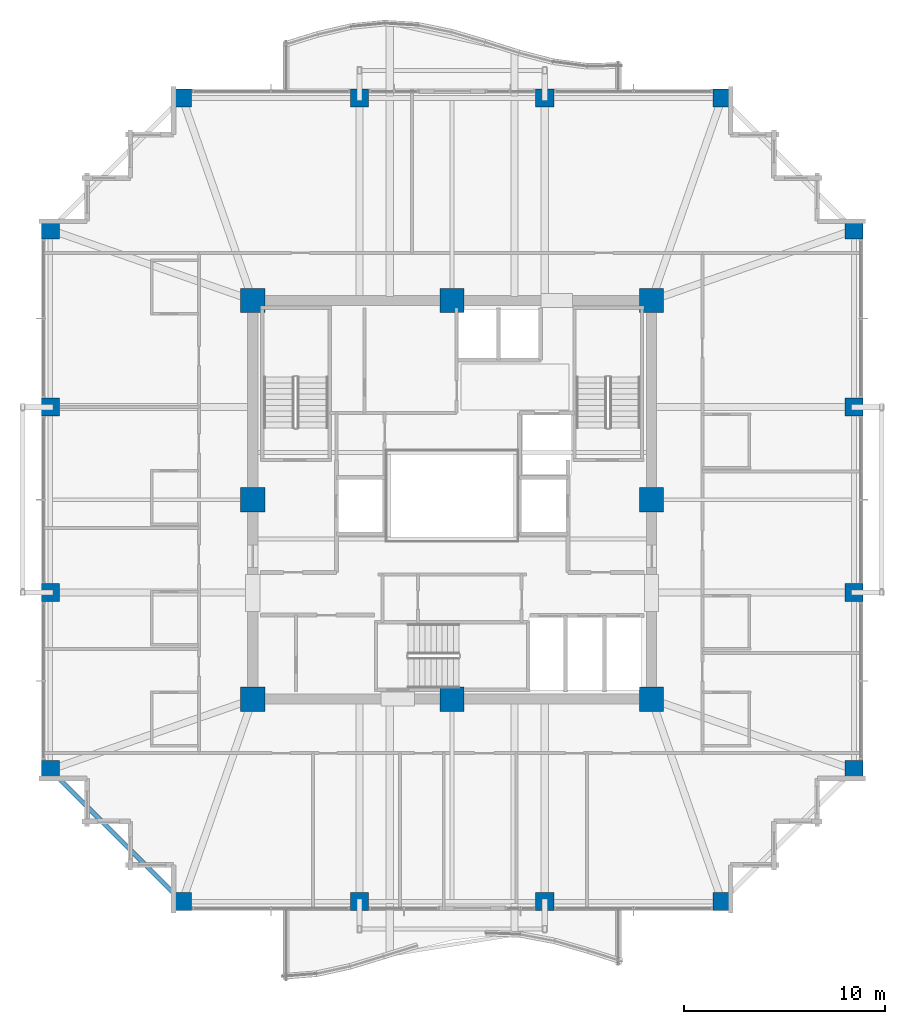
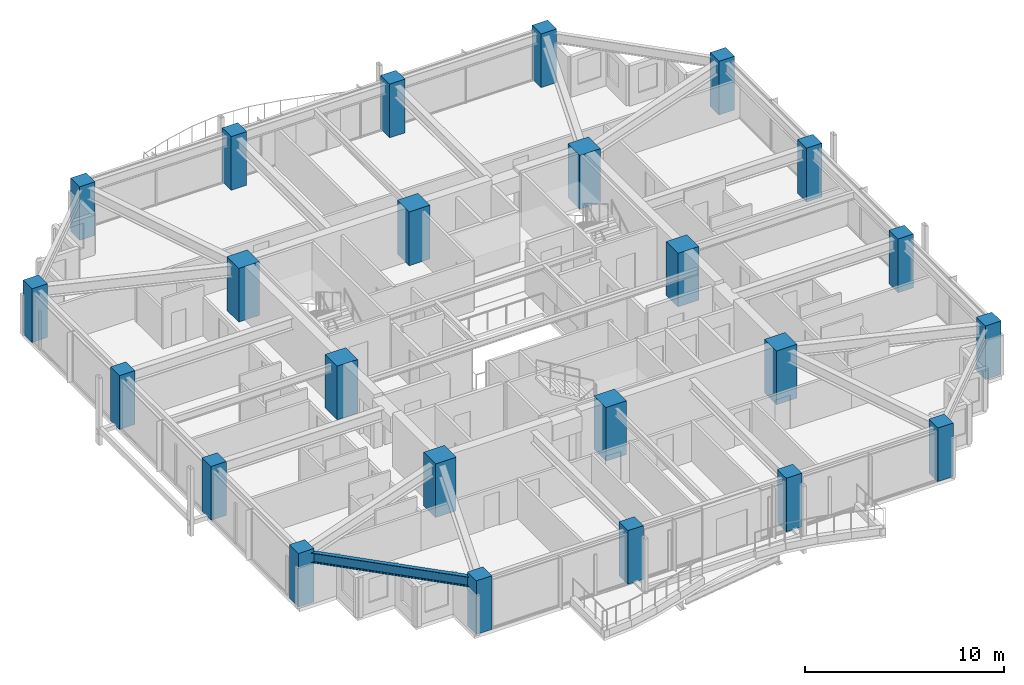
# One storey, part 1 of 37: 24 columns, 1 beam.
"""IFC4 building model written with IfcOpenShell, lengths in metres."""

from ifc_helpers import new_model, si_unit, direction, frame, origin, origin_2d, place, context, subcontext, project, spatial, rectangle, i_section, extrude, material, material_profile, profile_set, type_object, element, save


model = new_model("IFC4")

# Units and contexts
model_context = context("Model", 3, precision=1e-05, world=origin(), true_north=direction((0.0, 1.0)))
body_context = subcontext(model_context, "Body", "Model", "MODEL_VIEW")
ifc_project = project(units=[si_unit("LENGTHUNIT", "METRE"), si_unit("AREAUNIT", "SQUARE_METRE"), si_unit("VOLUMEUNIT", "CUBIC_METRE"), si_unit("PLANEANGLEUNIT", "RADIAN"), si_unit("MASSUNIT", "GRAM", prefix="KILO")], contexts=[model_context])

# Site, building, storey
site_placement = place(None, origin())
site = spatial("IfcSite", under=ifc_project, at=site_placement, CompositionType="ELEMENT")
building_placement = place(site_placement, origin())
building = spatial("IfcBuilding", under=site, at=building_placement, Name="Kolvaren Belvedere", CompositionType="ELEMENT")
storey_placement = place(building_placement, frame((0.0, 0.0, 173.39990234375)))
storey = spatial("IfcBuildingStorey", under=building, at=storey_placement, Name="L50", CompositionType="ELEMENT", Elevation=173.39990234375)

# Columns
ifc_material_1 = material(Name="Concrete C60/75", Category="concrete")
ifc_material_profile_1 = material_profile(ifc_material_1, rectangle(XDim=1.199951171875, YDim=1.199951171875, at=origin_2d()), Name="RC 1200X1200")
ifc_profile_set_1 = profile_set([ifc_material_profile_1], Name="Concrete C60/75")
column_type_1 = type_object("IfcColumnType", Name="COL-RC-1200", PredefinedType="COLUMN", material=ifc_profile_set_1)
for number, where, z_axis, x_axis, name in (
    (1, (-9.89990234375, -9.89990234375, 0.0), (0.0, 0.0, 1.0), (1.0, 0.0, 0.0), "L50 Core Column CC1"),
    (2, (9.89990234375, -9.89990234375, 0.0), (0.0, 0.0, 1.0), (1.0, 0.0, 0.0), "L50 Core Column CC2"),
    (3, (9.89990234375, 9.89990234375, 0.0), (0.0, 0.0, 1.0), (1.0, 0.0, 0.0), "L50 Core Column CC3"),
    (4, (-9.89990234375, 9.89990234375, 0.0), (0.0, 0.0, 1.0), (1.0, 0.0, 0.0), "L50 Core Column CC4"),
    (5, (0.0, -9.89990234375, 0.0), (0.0, 0.0, 1.0), (1.0, 0.0, 0.0), "L50 Core Column CM1"),
    (6, (9.89990234375, 0.0, 0.0), (0.0, 0.0, 1.0), (1.0, 0.0, 0.0), "L50 Core Column CM2"),
    (7, (0.0, 9.89990234375, 0.0), (0.0, 0.0, 1.0), (1.0, 0.0, 0.0), "L50 Core Column CM3"),
    (8, (-9.89990234375, 0.0, 0.0), (0.0, 0.0, 1.0), (1.0, 0.0, 0.0), "L50 Core Column CM4"),
):
    element("IfcColumn", number, at=place(storey_placement, frame(where, z_axis=z_axis, x_axis=x_axis)), inside=storey, type_object=column_type_1, Name=name, PredefinedType="COLUMN", context=body_context, shape_type="SweptSolid", body=[
        extrude(rectangle(XDim=1.199951171875, YDim=1.199951171875, at=origin_2d()), origin(), (0.0, 0.0, 1.0), 3.300048828125),
    ])
ifc_material_2 = material(Name="Concrete C50/60", Category="concrete")
ifc_material_profile_2 = material_profile(ifc_material_2, rectangle(XDim=0.89990234375, YDim=0.89990234375, at=origin_2d()), Name="RC 900X900")
ifc_profile_set_2 = profile_set([ifc_material_profile_2], Name="Concrete C50/60")
column_type_2 = type_object("IfcColumnType", Name="COL-RC-900", PredefinedType="COLUMN", material=ifc_profile_set_2)
for number, where, z_axis, x_axis, name in (
    (9, (-13.39990234375, -19.949951171875, 0.0), (0.0, 0.0, 1.0), (1.0, 0.0, 0.0), "L50 Perimeter Column S1"),
    (10, (-4.60009765625, -19.949951171875, 0.0), (0.0, 0.0, 1.0), (1.0, 0.0, 0.0), "L50 Perimeter Column S2"),
    (11, (4.60009765625, -19.949951171875, 0.0), (0.0, 0.0, 1.0), (1.0, 0.0, 0.0), "L50 Perimeter Column S3"),
    (12, (13.39990234375, -19.949951171875, 0.0), (0.0, 0.0, 1.0), (1.0, 0.0, 0.0), "L50 Perimeter Column S4"),
    (13, (-13.39990234375, 19.949951171875, 0.0), (0.0, 0.0, 1.0), (1.0, 0.0, 0.0), "L50 Perimeter Column N1"),
    (14, (-4.60009765625, 19.949951171875, 0.0), (0.0, 0.0, 1.0), (1.0, 0.0, 0.0), "L50 Perimeter Column N2"),
    (15, (4.60009765625, 19.949951171875, 0.0), (0.0, 0.0, 1.0), (1.0, 0.0, 0.0), "L50 Perimeter Column N3"),
    (16, (13.39990234375, 19.949951171875, 0.0), (0.0, 0.0, 1.0), (1.0, 0.0, 0.0), "L50 Perimeter Column N4"),
    (17, (-19.949951171875, -13.39990234375, 0.0), (0.0, 0.0, 1.0), (1.0, 0.0, 0.0), "L50 Perimeter Column W1"),
    (18, (-19.949951171875, -4.60009765625, 0.0), (0.0, 0.0, 1.0), (1.0, 0.0, 0.0), "L50 Perimeter Column W2"),
    (19, (-19.949951171875, 4.60009765625, 0.0), (0.0, 0.0, 1.0), (1.0, 0.0, 0.0), "L50 Perimeter Column W3"),
    (20, (-19.949951171875, 13.39990234375, 0.0), (0.0, 0.0, 1.0), (1.0, 0.0, 0.0), "L50 Perimeter Column W4"),
    (21, (19.949951171875, -13.39990234375, 0.0), (0.0, 0.0, 1.0), (1.0, 0.0, 0.0), "L50 Perimeter Column E1"),
    (22, (19.949951171875, -4.60009765625, 0.0), (0.0, 0.0, 1.0), (1.0, 0.0, 0.0), "L50 Perimeter Column E2"),
    (23, (19.949951171875, 4.60009765625, 0.0), (0.0, 0.0, 1.0), (1.0, 0.0, 0.0), "L50 Perimeter Column E3"),
    (24, (19.949951171875, 13.39990234375, 0.0), (0.0, 0.0, 1.0), (1.0, 0.0, 0.0), "L50 Perimeter Column E4"),
):
    element("IfcColumn", number, at=place(storey_placement, frame(where, z_axis=z_axis, x_axis=x_axis)), inside=storey, type_object=column_type_2, Name=name, PredefinedType="COLUMN", context=body_context, shape_type="SweptSolid", body=[
        extrude(rectangle(XDim=0.89990234375, YDim=0.89990234375, at=origin_2d()), origin(), (0.0, 0.0, 1.0), 3.300048828125),
    ])

# Beam
ifc_material_3 = material(Name="Structural steel ASTM A992 Grade 50", Category="steel")
ifc_material_profile_3 = material_profile(ifc_material_3, i_section(OverallWidth=0.22900390625, OverallDepth=0.612060546875, WebThickness=0.011962890625, FlangeThickness=0.01953125, FilletRadius=0.01806640625, at=origin_2d()), Name="W24X84")
ifc_profile_set_3 = profile_set([ifc_material_profile_3], Name="Structural steel ASTM A992 Grade 50")
beam_type = type_object("IfcBeamType", Name="BM-SPAN-W24X84", PredefinedType="SPANDREL", material=ifc_profile_set_3)
beam_placement = place(storey_placement, frame((-19.806884765625, -13.543212890625, 2.774169921875), z_axis=(0.707106781187, -0.707106781187, 0.0), x_axis=(0.707106781187, 0.707106781187, 0.0)))
element("IfcBeam", 25, at=beam_placement, inside=storey, type_object=beam_type, Name="L50 Perimeter Spandrel W1-S1", PredefinedType="SPANDREL", context=body_context, shape_type="SweptSolid", body=[
    extrude(i_section(OverallWidth=0.22900390625, OverallDepth=0.612060546875, WebThickness=0.011962890625, FlangeThickness=0.01953125, FilletRadius=0.01806640625, at=origin_2d()), origin(), (0.0, 0.0, 1.0), 8.858154296875),
])

save(model, "model.ifc")
